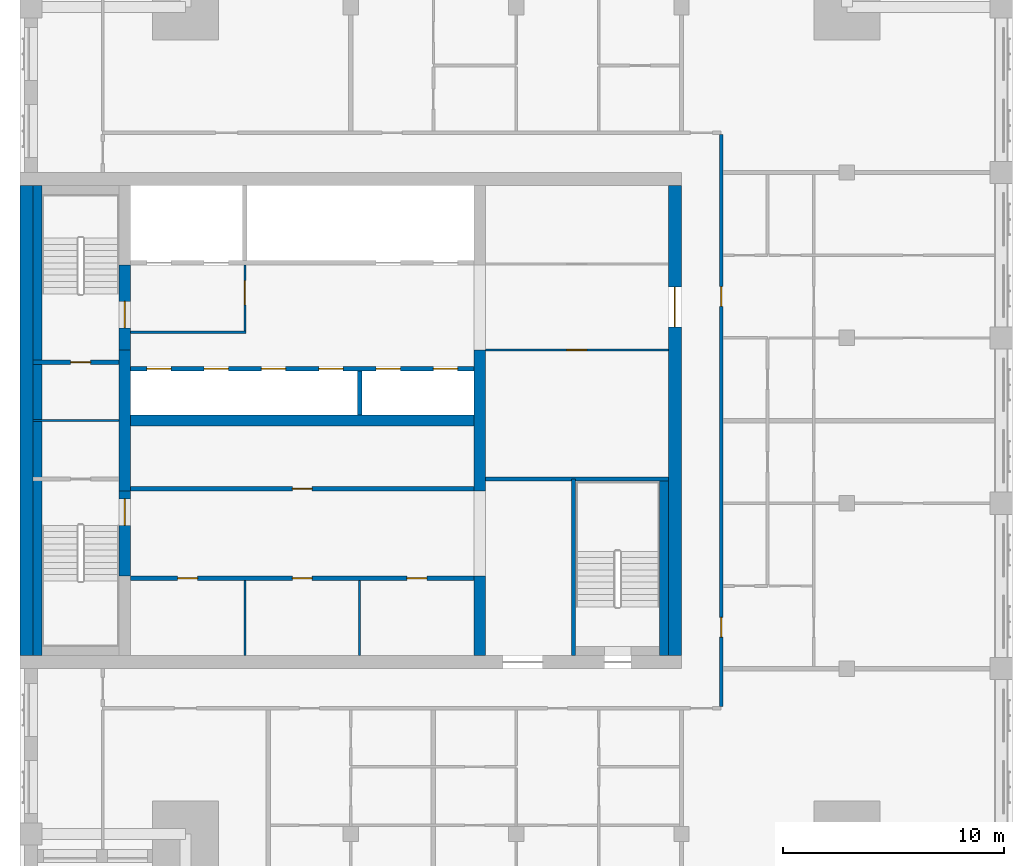
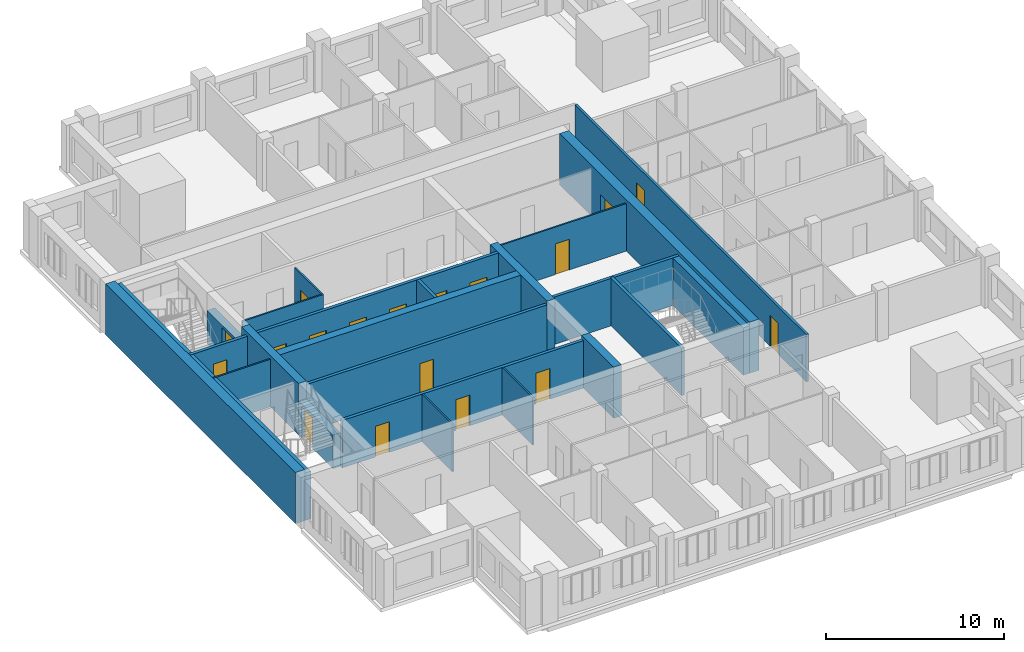
# One storey, part 4 of 10: 24 walls, 18 doors, 18 openings.
"""IFC4 building model written with IfcOpenShell, lengths in metres."""

from ifc_helpers import new_model, si_unit, direction, frame, frame_2d, origin, place, context, subcontext, project, spatial, rectangle, extrude, material, layer, layer_set, type_object, element, fill, save


model = new_model("IFC4")

# Units and contexts
model_context = context("Model", 3, precision=1e-05, world=origin(), true_north=direction((0.0, 1.0)))
body_context = subcontext(model_context, "Body", "Model", "MODEL_VIEW")
ifc_project = project(units=[si_unit("LENGTHUNIT", "METRE"), si_unit("AREAUNIT", "SQUARE_METRE"), si_unit("VOLUMEUNIT", "CUBIC_METRE"), si_unit("PLANEANGLEUNIT", "RADIAN"), si_unit("MASSUNIT", "GRAM", prefix="KILO")], contexts=[model_context])

# Site, building, storey
site_placement = place(None, origin())
site = spatial("IfcSite", under=ifc_project, at=site_placement, CompositionType="ELEMENT")
building_placement = place(site_placement, origin())
building = spatial("IfcBuilding", under=site, at=building_placement, Name="Tamorin Gate", CompositionType="ELEMENT")
storey_placement = place(building_placement, frame((0.0, 0.0, 269.699951171875)))
storey = spatial("IfcBuildingStorey", under=building, at=storey_placement, Name="L67", CompositionType="ELEMENT", Elevation=269.699951171875)

# Wall, openings, doors
ifc_material_1 = material(Name="Gypsum board partition")
ifc_layer_1 = layer(ifc_material_1, 0.14990234375)
ifc_layer_set_1 = layer_set([ifc_layer_1], Name="Corridor wall 150")
wall_type_1 = type_object("IfcWallType", Name="Corridor wall 150", PredefinedType="PARTITIONING", material=ifc_layer_set_1)
wall_1_placement = place(storey_placement, frame((61.800048828125, 58.27490234375, 0.0), z_axis=(0.0, 0.0, 1.0), x_axis=(0.0, 1.0, 0.0)))
wall_1 = element("IfcWall", 1, at=wall_1_placement, inside=storey, type_object=wall_type_1, Name="Corridor wall 150", PredefinedType="PARTITIONING", context=body_context, shape_type="SweptSolid", body=[
    extrude(rectangle(XDim=25.9501953125, YDim=0.14990234375, at=frame_2d((12.97509765625, 0.0))), origin(), (0.0, 0.0, 1.0), 3.25),
])
opening_1_placement = place(wall_1_placement, frame((3.14990234375, 0.0, 0.0)))
opening_1 = element("IfcOpeningElement", 2, at=opening_1_placement, cuts=wall_1, Name="Opening DR9029", PredefinedType="OPENING", context=body_context, shape_type="SweptSolid", body=[
    extrude(rectangle(XDim=0.89990234375, YDim=2.10009765625, at=frame_2d((0.449951171875, 1.050048828125))), frame((0.0, 0.0849609375, 0.0), z_axis=(0.0, -1.0, 0.0), x_axis=(1.0, 0.0, 0.0)), (0.0, 0.0, 1.0), 0.169921875),
])
opening_2_placement = place(wall_1_placement, frame((18.14990234375, 0.0, 0.0)))
opening_2 = element("IfcOpeningElement", 3, at=opening_2_placement, cuts=wall_1, Name="Opening DR9038", PredefinedType="OPENING", context=body_context, shape_type="SweptSolid", body=[
    extrude(rectangle(XDim=0.89990234375, YDim=2.10009765625, at=frame_2d((0.449951171875, 1.050048828125))), frame((0.0, 0.0849609375, 0.0), z_axis=(0.0, -1.0, 0.0), x_axis=(1.0, 0.0, 0.0)), (0.0, 0.0, 1.0), 0.169921875),
])
ifc_material_2 = material(Name="Timber door leaf", Category="wood")
door_type_1 = type_object("IfcDoorType", Name="Door 900 x 2100 FD30S", OperationType="NOTDEFINED", PredefinedType="DOOR", material=ifc_material_2)
door_1_placement = place(opening_1_placement, origin())
door_1 = element("IfcDoor", 4, at=door_1_placement, inside=storey, type_object=door_type_1, Name="Door DR9029", OperationType="SINGLE_SWING_RIGHT", OverallHeight=2.10009765625, OverallWidth=0.89990234375, PredefinedType="DOOR", context=body_context, shape_type="SweptSolid", body=[
    extrude(rectangle(XDim=0.89990234375, YDim=2.10009765625, at=frame_2d((0.449951171875, 1.050048828125))), frame((0.0, 0.02490234375, 0.0), z_axis=(0.0, -1.0, 0.0), x_axis=(1.0, 0.0, 0.0)), (0.0, 0.0, 1.0), 0.050048828125),
])
fill(opening_1, door_1)
door_2_placement = place(opening_2_placement, origin())
door_2 = element("IfcDoor", 5, at=door_2_placement, inside=storey, type_object=door_type_1, Name="Door DR9038", OperationType="SINGLE_SWING_RIGHT", OverallHeight=2.10009765625, OverallWidth=0.89990234375, PredefinedType="DOOR", context=body_context, shape_type="SweptSolid", body=[
    extrude(rectangle(XDim=0.89990234375, YDim=2.10009765625, at=frame_2d((0.449951171875, 1.050048828125))), frame((0.0, 0.02490234375, 0.0), z_axis=(0.0, -1.0, 0.0), x_axis=(1.0, 0.0, 0.0)), (0.0, 0.0, 1.0), 0.050048828125),
])
fill(opening_2, door_2)

ifc_material_3 = material(Name="Concrete C32/40", Category="concrete")
ifc_layer_2 = layer(ifc_material_3, 0.199951171875)
ifc_layer_set_2 = layer_set([ifc_layer_2], Name="Lift lobby face wall 200 EI 120")
wall_type_2 = type_object("IfcWallType", Name="Lift lobby face wall 200 EI 120", PredefinedType="SOLIDWALL", material=ifc_layer_set_2)
wall_2_placement = place(storey_placement, frame((35.0, 73.60009765625, 0.0), z_axis=(0.0, 0.0, 1.0), x_axis=(1.0, 0.0, 0.0)))
wall_2 = element("IfcWall", 6, at=wall_2_placement, inside=storey, type_object=wall_type_2, Name="Lift lobby face wall", PredefinedType="SOLIDWALL", context=body_context, shape_type="SweptSolid", body=[
    extrude(rectangle(XDim=15.60009765625, YDim=0.199951171875, at=frame_2d((7.800048828125, 0.0))), origin(), (0.0, 0.0, 1.0), 3.5),
])
opening_3_placement = place(wall_2_placement, frame((0.75, 0.0, 0.0)))
opening_3 = element("IfcOpeningElement", 7, at=opening_3_placement, cuts=wall_2, Name="Opening LD11", PredefinedType="OPENING", context=body_context, shape_type="SweptSolid", body=[
    extrude(rectangle(XDim=1.10009765625, YDim=2.10009765625, at=frame_2d((0.550048828125, 1.050048828125))), frame((0.0, 0.10986328125, 0.0), z_axis=(0.0, -1.0, 0.0), x_axis=(1.0, 0.0, 0.0)), (0.0, 0.0, 1.0), 0.219970703125),
])
opening_4_placement = place(wall_2_placement, frame((3.35009765625, 0.0, 0.0)))
opening_4 = element("IfcOpeningElement", 8, at=opening_4_placement, cuts=wall_2, Name="Opening LD12", PredefinedType="OPENING", context=body_context, shape_type="SweptSolid", body=[
    extrude(rectangle(XDim=1.10009765625, YDim=2.10009765625, at=frame_2d((0.550048828125, 1.050048828125))), frame((0.0, 0.10986328125, 0.0), z_axis=(0.0, -1.0, 0.0), x_axis=(1.0, 0.0, 0.0)), (0.0, 0.0, 1.0), 0.219970703125),
])
opening_5_placement = place(wall_2_placement, frame((5.949951171875, 0.0, 0.0)))
opening_5 = element("IfcOpeningElement", 9, at=opening_5_placement, cuts=wall_2, Name="Opening LD13", PredefinedType="OPENING", context=body_context, shape_type="SweptSolid", body=[
    extrude(rectangle(XDim=1.10009765625, YDim=2.10009765625, at=frame_2d((0.550048828125, 1.050048828125))), frame((0.0, 0.10986328125, 0.0), z_axis=(0.0, -1.0, 0.0), x_axis=(1.0, 0.0, 0.0)), (0.0, 0.0, 1.0), 0.219970703125),
])
opening_6_placement = place(wall_2_placement, frame((8.550048828125, 0.0, 0.0)))
opening_6 = element("IfcOpeningElement", 10, at=opening_6_placement, cuts=wall_2, Name="Opening LD14", PredefinedType="OPENING", context=body_context, shape_type="SweptSolid", body=[
    extrude(rectangle(XDim=1.10009765625, YDim=2.10009765625, at=frame_2d((0.550048828125, 1.050048828125))), frame((0.0, 0.10986328125, 0.0), z_axis=(0.0, -1.0, 0.0), x_axis=(1.0, 0.0, 0.0)), (0.0, 0.0, 1.0), 0.219970703125),
])
opening_7_placement = place(wall_2_placement, frame((11.14990234375, 0.0, 0.0)))
opening_7 = element("IfcOpeningElement", 11, at=opening_7_placement, cuts=wall_2, Name="Opening LD15", PredefinedType="OPENING", context=body_context, shape_type="SweptSolid", body=[
    extrude(rectangle(XDim=1.10009765625, YDim=2.10009765625, at=frame_2d((0.550048828125, 1.050048828125))), frame((0.0, 0.10986328125, 0.0), z_axis=(0.0, -1.0, 0.0), x_axis=(1.0, 0.0, 0.0)), (0.0, 0.0, 1.0), 0.219970703125),
])
opening_8_placement = place(wall_2_placement, frame((13.75, 0.0, 0.0)))
opening_8 = element("IfcOpeningElement", 12, at=opening_8_placement, cuts=wall_2, Name="Opening LD16", PredefinedType="OPENING", context=body_context, shape_type="SweptSolid", body=[
    extrude(rectangle(XDim=1.10009765625, YDim=2.10009765625, at=frame_2d((0.550048828125, 1.050048828125))), frame((0.0, 0.10986328125, 0.0), z_axis=(0.0, -1.0, 0.0), x_axis=(1.0, 0.0, 0.0)), (0.0, 0.0, 1.0), 0.219970703125),
])
ifc_material_4 = material(Name="Stainless steel sliding door", Category="steel")
door_type_2 = type_object("IfcDoorType", Name="Lift landing door 1100 x 2100 E 90", OperationType="DOUBLE_DOOR_SLIDING", PredefinedType="DOOR", material=ifc_material_4)
door_3_placement = place(opening_3_placement, origin())
door_3 = element("IfcDoor", 13, at=door_3_placement, inside=storey, type_object=door_type_2, Name="HR1 landing door", OperationType="DOUBLE_DOOR_SLIDING", OverallHeight=2.10009765625, OverallWidth=1.10009765625, PredefinedType="DOOR", context=body_context, shape_type="SweptSolid", body=[
    extrude(rectangle(XDim=1.10009765625, YDim=2.10009765625, at=frame_2d((0.550048828125, 1.050048828125))), frame((0.0, 0.02490234375, 0.0), z_axis=(0.0, -1.0, 0.0), x_axis=(1.0, 0.0, 0.0)), (0.0, 0.0, 1.0), 0.050048828125),
])
fill(opening_3, door_3)
door_4_placement = place(opening_4_placement, origin())
door_4 = element("IfcDoor", 14, at=door_4_placement, inside=storey, type_object=door_type_2, Name="HR2 landing door", OperationType="DOUBLE_DOOR_SLIDING", OverallHeight=2.10009765625, OverallWidth=1.10009765625, PredefinedType="DOOR", context=body_context, shape_type="SweptSolid", body=[
    extrude(rectangle(XDim=1.10009765625, YDim=2.10009765625, at=frame_2d((0.550048828125, 1.050048828125))), frame((0.0, 0.02490234375, 0.0), z_axis=(0.0, -1.0, 0.0), x_axis=(1.0, 0.0, 0.0)), (0.0, 0.0, 1.0), 0.050048828125),
])
fill(opening_4, door_4)
door_5_placement = place(opening_5_placement, origin())
door_5 = element("IfcDoor", 15, at=door_5_placement, inside=storey, type_object=door_type_2, Name="HR3 landing door", OperationType="DOUBLE_DOOR_SLIDING", OverallHeight=2.10009765625, OverallWidth=1.10009765625, PredefinedType="DOOR", context=body_context, shape_type="SweptSolid", body=[
    extrude(rectangle(XDim=1.10009765625, YDim=2.10009765625, at=frame_2d((0.550048828125, 1.050048828125))), frame((0.0, 0.02490234375, 0.0), z_axis=(0.0, -1.0, 0.0), x_axis=(1.0, 0.0, 0.0)), (0.0, 0.0, 1.0), 0.050048828125),
])
fill(opening_5, door_5)
door_6_placement = place(opening_6_placement, origin())
door_6 = element("IfcDoor", 16, at=door_6_placement, inside=storey, type_object=door_type_2, Name="HR4 landing door", OperationType="DOUBLE_DOOR_SLIDING", OverallHeight=2.10009765625, OverallWidth=1.10009765625, PredefinedType="DOOR", context=body_context, shape_type="SweptSolid", body=[
    extrude(rectangle(XDim=1.10009765625, YDim=2.10009765625, at=frame_2d((0.550048828125, 1.050048828125))), frame((0.0, 0.02490234375, 0.0), z_axis=(0.0, -1.0, 0.0), x_axis=(1.0, 0.0, 0.0)), (0.0, 0.0, 1.0), 0.050048828125),
])
fill(opening_6, door_6)
door_7_placement = place(opening_7_placement, origin())
door_7 = element("IfcDoor", 17, at=door_7_placement, inside=storey, type_object=door_type_2, Name="HR5 landing door", OperationType="DOUBLE_DOOR_SLIDING", OverallHeight=2.10009765625, OverallWidth=1.10009765625, PredefinedType="DOOR", context=body_context, shape_type="SweptSolid", body=[
    extrude(rectangle(XDim=1.10009765625, YDim=2.10009765625, at=frame_2d((0.550048828125, 1.050048828125))), frame((0.0, 0.02490234375, 0.0), z_axis=(0.0, -1.0, 0.0), x_axis=(1.0, 0.0, 0.0)), (0.0, 0.0, 1.0), 0.050048828125),
])
fill(opening_7, door_7)
door_8_placement = place(opening_8_placement, origin())
door_8 = element("IfcDoor", 18, at=door_8_placement, inside=storey, type_object=door_type_2, Name="HR6 landing door", OperationType="DOUBLE_DOOR_SLIDING", OverallHeight=2.10009765625, OverallWidth=1.10009765625, PredefinedType="DOOR", context=body_context, shape_type="SweptSolid", body=[
    extrude(rectangle(XDim=1.10009765625, YDim=2.10009765625, at=frame_2d((0.550048828125, 1.050048828125))), frame((0.0, 0.02490234375, 0.0), z_axis=(0.0, -1.0, 0.0), x_axis=(1.0, 0.0, 0.0)), (0.0, 0.0, 1.0), 0.050048828125),
])
fill(opening_8, door_8)

# Walls
ifc_layer_3 = layer(ifc_material_3, 0.199951171875)
ifc_layer_set_3 = layer_set([ifc_layer_3], Name="Lift shaft wall 200 EI 120")
wall_type_3 = type_object("IfcWallType", Name="Lift shaft wall 200 EI 120", PredefinedType="SOLIDWALL", material=ifc_layer_set_3)
wall_3_placement = place(storey_placement, frame((45.39990234375, 71.5, 0.0), z_axis=(0.0, 0.0, 1.0), x_axis=(0.0, 1.0, 0.0)))
element("IfcWall", 19, at=wall_3_placement, inside=storey, type_object=wall_type_3, Name="Lift shaft wall", PredefinedType="SOLIDWALL", context=body_context, shape_type="SweptSolid", body=[
    extrude(rectangle(XDim=2.0, YDim=0.199951171875, at=frame_2d((1.0, 0.0))), origin(), (0.0, 0.0, 1.0), 3.5),
])
ifc_material_5 = material(Name="Fire-rated gypsum board partition")
ifc_layer_4 = layer(ifc_material_5, 0.10009765625)
ifc_layer_set_4 = layer_set([ifc_layer_4], Name="Lobby wall 100 EI 60")
wall_type_4 = type_object("IfcWallType", Name="Lobby wall 100 EI 60", PredefinedType="PARTITIONING", material=ifc_layer_set_4)
wall_4_placement = place(storey_placement, frame((35.0, 75.25, 0.0), z_axis=(0.0, 0.0, 1.0), x_axis=(1.0, 0.0, 0.0)))
element("IfcWall", 20, at=wall_4_placement, inside=storey, type_object=wall_type_4, Name="Firefighting lobby wall", PredefinedType="PARTITIONING", context=body_context, shape_type="SweptSolid", body=[
    extrude(rectangle(XDim=5.25, YDim=0.10009765625, at=frame_2d((2.625, 0.0))), origin(), (0.0, 0.0, 1.0), 3.25),
])

# Wall, opening, door
wall_5_placement = place(storey_placement, frame((40.199951171875, 75.300048828125, 0.0), z_axis=(0.0, 0.0, 1.0), x_axis=(0.0, 1.0, 0.0)))
wall_5 = element("IfcWall", 21, at=wall_5_placement, inside=storey, type_object=wall_type_4, Name="Firefighting lobby wall", PredefinedType="PARTITIONING", context=body_context, shape_type="SweptSolid", body=[
    extrude(rectangle(XDim=3.0, YDim=0.10009765625, at=frame_2d((1.5, 0.0))), origin(), (0.0, 0.0, 1.0), 3.25),
])
opening_9_placement = place(wall_5_placement, frame((1.199951171875, 0.0, 0.0)))
opening_9 = element("IfcOpeningElement", 22, at=opening_9_placement, cuts=wall_5, Name="Opening DF1", PredefinedType="OPENING", context=body_context, shape_type="SweptSolid", body=[
    extrude(rectangle(XDim=1.10009765625, YDim=2.10009765625, at=frame_2d((0.550048828125, 1.050048828125))), frame((0.0, 0.06005859375, 0.0), z_axis=(0.0, -1.0, 0.0), x_axis=(1.0, 0.0, 0.0)), (0.0, 0.0, 1.0), 0.1201171875),
])
ifc_material_6 = material(Name="Steel fire door", Category="steel")
door_type_3 = type_object("IfcDoorType", Name="Firefighting lobby door 1100 x 2100 EI 90", OperationType="SINGLE_SWING_LEFT", PredefinedType="DOOR", material=ifc_material_6)
door_9_placement = place(opening_9_placement, origin())
door_9 = element("IfcDoor", 23, at=door_9_placement, inside=storey, type_object=door_type_3, Name="Firefighting lobby door", OperationType="SINGLE_SWING_LEFT", OverallHeight=2.10009765625, OverallWidth=1.10009765625, PredefinedType="DOOR", context=body_context, shape_type="SweptSolid", body=[
    extrude(rectangle(XDim=1.10009765625, YDim=2.10009765625, at=frame_2d((0.550048828125, 1.050048828125))), frame((0.0, 0.02490234375, 0.0), z_axis=(0.0, -1.0, 0.0), x_axis=(1.0, 0.0, 0.0)), (0.0, 0.0, 1.0), 0.050048828125),
])
fill(opening_9, door_9)

# Walls
ifc_material_7 = material(Name="Concrete C50/60", Category="concrete")
ifc_layer_5 = layer(ifc_material_7, 0.5)
ifc_layer_set_5 = layer_set([ifc_layer_5], Name="RC core internal wall 500 C50/60")
wall_type_5 = type_object("IfcWallType", Name="RC core internal wall 500 C50/60", PredefinedType="SHEAR", material=ifc_layer_set_5)
wall_6_placement = place(storey_placement, frame((35.0, 71.25, 0.0), z_axis=(0.0, 0.0, 1.0), x_axis=(1.0, 0.0, 0.0)))
element("IfcWall", 24, at=wall_6_placement, inside=storey, type_object=wall_type_5, Name="Core spine wall L67", PredefinedType="SHEAR", context=body_context, shape_type="SweptSolid", body=[
    extrude(rectangle(XDim=15.60009765625, YDim=0.5, at=frame_2d((7.800048828125, 0.0))), origin(), (0.0, 0.0, 1.0), 3.5),
])
wall_7_placement = place(storey_placement, frame((34.75, 68.050048828125, 0.0), z_axis=(0.0, 0.0, 1.0), x_axis=(0.0, 1.0, 0.0)))
element("IfcWall", 25, at=wall_7_placement, inside=storey, type_object=wall_type_5, Name="Core cross wall L67", PredefinedType="SHEAR", context=body_context, shape_type="SweptSolid", body=[
    extrude(rectangle(XDim=6.39990234375, YDim=0.5, at=frame_2d((3.199951171875, 0.0))), origin(), (0.0, 0.0, 1.0), 3.5),
])
wall_8_placement = place(storey_placement, frame((50.85009765625, 60.60009765625, 0.0), z_axis=(0.0, 0.0, 1.0), x_axis=(0.0, 1.0, 0.0)))
element("IfcWall", 26, at=wall_8_placement, inside=storey, type_object=wall_type_5, Name="Core cross wall L67", PredefinedType="SHEAR", context=body_context, shape_type="SweptSolid", body=[
    extrude(rectangle(XDim=3.599853515625, YDim=0.5, at=frame_2d((1.7998046875, 0.0))), origin(), (0.0, 0.0, 1.0), 3.5),
])
wall_9_placement = place(storey_placement, frame((50.85009765625, 68.050048828125, 0.0), z_axis=(0.0, 0.0, 1.0), x_axis=(0.0, 1.0, 0.0)))
element("IfcWall", 27, at=wall_9_placement, inside=storey, type_object=wall_type_5, Name="Core cross wall L67", PredefinedType="SHEAR", context=body_context, shape_type="SweptSolid", body=[
    extrude(rectangle(XDim=6.39990234375, YDim=0.5, at=frame_2d((3.199951171875, 0.0))), origin(), (0.0, 0.0, 1.0), 3.5),
])
ifc_layer_6 = layer(ifc_material_7, 0.60009765625)
ifc_layer_set_6 = layer_set([ifc_layer_6], Name="RC core wall 600 C50/60")
wall_type_6 = type_object("IfcWallType", Name="RC core wall 600 C50/60", PredefinedType="SHEAR", material=ifc_layer_set_6)
wall_10_placement = place(storey_placement, frame((30.300048828125, 60.60009765625, 0.0), z_axis=(0.0, 0.0, 1.0), x_axis=(0.0, 1.0, 0.0)))
element("IfcWall", 28, at=wall_10_placement, inside=storey, type_object=wall_type_6, Name="Core wall L67", PredefinedType="SHEAR", context=body_context, shape_type="SweptSolid", body=[
    extrude(rectangle(XDim=21.2998046875, YDim=0.60009765625, at=frame_2d((10.64990234375, 0.0))), origin(), (0.0, 0.0, 1.0), 3.5),
])

# Wall, opening, door
wall_11_placement = place(storey_placement, frame((59.699951171875, 60.60009765625, 0.0), z_axis=(0.0, 0.0, 1.0), x_axis=(0.0, 1.0, 0.0)))
wall_11 = element("IfcWall", 29, at=wall_11_placement, inside=storey, type_object=wall_type_6, Name="Core wall L67", PredefinedType="SHEAR", context=body_context, shape_type="SweptSolid", body=[
    extrude(rectangle(XDim=21.2998046875, YDim=0.60009765625, at=frame_2d((10.64990234375, 0.0))), origin(), (0.0, 0.0, 1.0), 3.5),
])
opening_10_placement = place(wall_11_placement, frame((14.89990234375, 0.0, 0.0)))
opening_10 = element("IfcOpeningElement", 30, at=opening_10_placement, cuts=wall_11, Name="Opening DE1", PredefinedType="OPENING", context=body_context, shape_type="SweptSolid", body=[
    extrude(rectangle(XDim=1.800048828125, YDim=2.10009765625, at=frame_2d((0.89990234375, 1.050048828125))), frame((0.0, 0.31005859375, 0.0), z_axis=(0.0, -1.0, 0.0), x_axis=(1.0, 0.0, 0.0)), (0.0, 0.0, 1.0), 0.6201171875),
])
door_type_4 = type_object("IfcDoorType", Name="Lobby exit double door 1800 x 2100 EI 60", OperationType="DOUBLE_DOOR_SINGLE_SWING", PredefinedType="DOOR", material=ifc_material_6)
door_10_placement = place(opening_10_placement, origin())
door_10 = element("IfcDoor", 31, at=door_10_placement, inside=storey, type_object=door_type_4, Name="Lift lobby B exit door", OperationType="DOUBLE_DOOR_SINGLE_SWING", OverallHeight=2.10009765625, OverallWidth=1.800048828125, PredefinedType="DOOR", context=body_context, shape_type="SweptSolid", body=[
    extrude(rectangle(XDim=1.800048828125, YDim=2.10009765625, at=frame_2d((0.89990234375, 1.050048828125))), frame((0.0, 0.02490234375, 0.0), z_axis=(0.0, -1.0, 0.0), x_axis=(1.0, 0.0, 0.0)), (0.0, 0.0, 1.0), 0.050048828125),
])
fill(opening_10, door_10)

# Wall
ifc_layer_7 = layer(ifc_material_5, 0.10009765625)
ifc_layer_set_7 = layer_set([ifc_layer_7], Name="Riser partition 100 EI 120")
wall_type_7 = type_object("IfcWallType", Name="Riser partition 100 EI 120", PredefinedType="PARTITIONING", material=ifc_layer_set_7)
wall_12_placement = place(storey_placement, frame((30.60009765625, 71.25, 0.0), z_axis=(0.0, 0.0, 1.0), x_axis=(1.0, 0.0, 0.0)))
element("IfcWall", 32, at=wall_12_placement, inside=storey, type_object=wall_type_7, Name="Riser partition", PredefinedType="PARTITIONING", context=body_context, shape_type="SweptSolid", body=[
    extrude(rectangle(XDim=3.89990234375, YDim=0.10009765625, at=frame_2d((1.949951171875, 0.0))), origin(), (0.0, 0.0, 1.0), 3.25),
])

# Wall, openings, doors
ifc_layer_8 = layer(ifc_material_1, 0.199951171875)
ifc_layer_set_8 = layer_set([ifc_layer_8], Name="Service room face wall 200 EI 60")
wall_type_8 = type_object("IfcWallType", Name="Service room face wall 200 EI 60", PredefinedType="PARTITIONING", material=ifc_layer_set_8)
wall_13_placement = place(storey_placement, frame((35.0, 64.10009765625, 0.0), z_axis=(0.0, 0.0, 1.0), x_axis=(1.0, 0.0, 0.0)))
wall_13 = element("IfcWall", 33, at=wall_13_placement, inside=storey, type_object=wall_type_8, Name="Service room face wall", PredefinedType="PARTITIONING", context=body_context, shape_type="SweptSolid", body=[
    extrude(rectangle(XDim=15.60009765625, YDim=0.199951171875, at=frame_2d((7.800048828125, 0.0))), origin(), (0.0, 0.0, 1.0), 3.25),
])
opening_11_placement = place(wall_13_placement, frame((2.14990234375, 0.0, 0.0)))
opening_11 = element("IfcOpeningElement", 34, at=opening_11_placement, cuts=wall_13, Name="Opening DK1", PredefinedType="OPENING", context=body_context, shape_type="SweptSolid", body=[
    extrude(rectangle(XDim=0.89990234375, YDim=2.10009765625, at=frame_2d((0.449951171875, 1.050048828125))), frame((0.0, 0.10986328125, 0.0), z_axis=(0.0, -1.0, 0.0), x_axis=(1.0, 0.0, 0.0)), (0.0, 0.0, 1.0), 0.219970703125),
])
opening_12_placement = place(wall_13_placement, frame((7.35009765625, 0.0, 0.0)))
opening_12 = element("IfcOpeningElement", 35, at=opening_12_placement, cuts=wall_13, Name="Opening DK1", PredefinedType="OPENING", context=body_context, shape_type="SweptSolid", body=[
    extrude(rectangle(XDim=0.89990234375, YDim=2.10009765625, at=frame_2d((0.449951171875, 1.050048828125))), frame((0.0, 0.10986328125, 0.0), z_axis=(0.0, -1.0, 0.0), x_axis=(1.0, 0.0, 0.0)), (0.0, 0.0, 1.0), 0.219970703125),
])
opening_13_placement = place(wall_13_placement, frame((12.550048828125, 0.0, 0.0)))
opening_13 = element("IfcOpeningElement", 36, at=opening_13_placement, cuts=wall_13, Name="Opening DK1", PredefinedType="OPENING", context=body_context, shape_type="SweptSolid", body=[
    extrude(rectangle(XDim=0.89990234375, YDim=2.10009765625, at=frame_2d((0.449951171875, 1.050048828125))), frame((0.0, 0.10986328125, 0.0), z_axis=(0.0, -1.0, 0.0), x_axis=(1.0, 0.0, 0.0)), (0.0, 0.0, 1.0), 0.219970703125),
])
ifc_material_8 = material(Name="Timber fire door", Category="wood")
door_type_5 = type_object("IfcDoorType", Name="Service room door 900 x 2100 EI 60", OperationType="SINGLE_SWING_LEFT", PredefinedType="DOOR", material=ifc_material_8)
door_11_placement = place(opening_11_placement, origin())
door_11 = element("IfcDoor", 37, at=door_11_placement, inside=storey, type_object=door_type_5, Name="Door Linen store", OperationType="SINGLE_SWING_LEFT", OverallHeight=2.10009765625, OverallWidth=0.89990234375, PredefinedType="DOOR", context=body_context, shape_type="SweptSolid", body=[
    extrude(rectangle(XDim=0.89990234375, YDim=2.10009765625, at=frame_2d((0.449951171875, 1.050048828125))), frame((0.0, 0.02490234375, 0.0), z_axis=(0.0, -1.0, 0.0), x_axis=(1.0, 0.0, 0.0)), (0.0, 0.0, 1.0), 0.050048828125),
])
fill(opening_11, door_11)
door_12_placement = place(opening_12_placement, origin())
door_12 = element("IfcDoor", 38, at=door_12_placement, inside=storey, type_object=door_type_5, Name="Door Club store", OperationType="SINGLE_SWING_RIGHT", OverallHeight=2.10009765625, OverallWidth=0.89990234375, PredefinedType="DOOR", context=body_context, shape_type="SweptSolid", body=[
    extrude(rectangle(XDim=0.89990234375, YDim=2.10009765625, at=frame_2d((0.449951171875, 1.050048828125))), frame((0.0, 0.02490234375, 0.0), z_axis=(0.0, -1.0, 0.0), x_axis=(1.0, 0.0, 0.0)), (0.0, 0.0, 1.0), 0.050048828125),
])
fill(opening_12, door_12)
door_13_placement = place(opening_13_placement, origin())
door_13 = element("IfcDoor", 39, at=door_13_placement, inside=storey, type_object=door_type_5, Name="Door Wine store", OperationType="SINGLE_SWING_LEFT", OverallHeight=2.10009765625, OverallWidth=0.89990234375, PredefinedType="DOOR", context=body_context, shape_type="SweptSolid", body=[
    extrude(rectangle(XDim=0.89990234375, YDim=2.10009765625, at=frame_2d((0.449951171875, 1.050048828125))), frame((0.0, 0.02490234375, 0.0), z_axis=(0.0, -1.0, 0.0), x_axis=(1.0, 0.0, 0.0)), (0.0, 0.0, 1.0), 0.050048828125),
])
fill(opening_13, door_13)

# Wall, opening, door
wall_14_placement = place(storey_placement, frame((35.0, 68.14990234375, 0.0), z_axis=(0.0, 0.0, 1.0), x_axis=(1.0, 0.0, 0.0)))
wall_14 = element("IfcWall", 40, at=wall_14_placement, inside=storey, type_object=wall_type_8, Name="Service room face wall", PredefinedType="PARTITIONING", context=body_context, shape_type="SweptSolid", body=[
    extrude(rectangle(XDim=15.60009765625, YDim=0.199951171875, at=frame_2d((7.800048828125, 0.0))), origin(), (0.0, 0.0, 1.0), 3.25),
])
opening_14_placement = place(wall_14_placement, frame((7.35009765625, 0.0, 0.0)))
opening_14 = element("IfcOpeningElement", 41, at=opening_14_placement, cuts=wall_14, Name="Opening DK1", PredefinedType="OPENING", context=body_context, shape_type="SweptSolid", body=[
    extrude(rectangle(XDim=0.89990234375, YDim=2.10009765625, at=frame_2d((0.449951171875, 1.050048828125))), frame((0.0, 0.10986328125, 0.0), z_axis=(0.0, -1.0, 0.0), x_axis=(1.0, 0.0, 0.0)), (0.0, 0.0, 1.0), 0.219970703125),
])
door_14_placement = place(opening_14_placement, origin())
door_14 = element("IfcDoor", 42, at=door_14_placement, inside=storey, type_object=door_type_5, Name="Door Housekeeping and maintenance store", OperationType="SINGLE_SWING_LEFT", OverallHeight=2.10009765625, OverallWidth=0.89990234375, PredefinedType="DOOR", context=body_context, shape_type="SweptSolid", body=[
    extrude(rectangle(XDim=0.89990234375, YDim=2.10009765625, at=frame_2d((0.449951171875, 1.050048828125))), frame((0.0, 0.02490234375, 0.0), z_axis=(0.0, -1.0, 0.0), x_axis=(1.0, 0.0, 0.0)), (0.0, 0.0, 1.0), 0.050048828125),
])
fill(opening_14, door_14)

# Walls
ifc_layer_9 = layer(ifc_material_1, 0.10009765625)
ifc_layer_set_9 = layer_set([ifc_layer_9], Name="Service room partition 100 EI 60")
wall_type_9 = type_object("IfcWallType", Name="Service room partition 100 EI 60", PredefinedType="PARTITIONING", material=ifc_layer_set_9)
for number, where, z_axis, x_axis, name in (
    (43, (40.199951171875, 60.60009765625, 0.0), (0.0, 0.0, 1.0), (0.0, 1.0, 0.0), "Service room partition"),
    (44, (45.39990234375, 60.60009765625, 0.0), (0.0, 0.0, 1.0), (0.0, 1.0, 0.0), "Service room partition"),
):
    element("IfcWall", number, at=place(storey_placement, frame(where, z_axis=z_axis, x_axis=x_axis)), inside=storey, type_object=wall_type_9, Name=name, PredefinedType="PARTITIONING", context=body_context, shape_type="SweptSolid", body=[
        extrude(rectangle(XDim=3.39990234375, YDim=0.10009765625, at=frame_2d((1.699951171875, 0.0))), origin(), (0.0, 0.0, 1.0), 3.25),
    ])

# Wall, opening, door
wall_15_placement = place(storey_placement, frame((51.10009765625, 74.449951171875, 0.0), z_axis=(0.0, 0.0, 1.0), x_axis=(1.0, 0.0, 0.0)))
wall_15 = element("IfcWall", 45, at=wall_15_placement, inside=storey, type_object=wall_type_9, Name="Service room wall", PredefinedType="PARTITIONING", context=body_context, shape_type="SweptSolid", body=[
    extrude(rectangle(XDim=8.2998046875, YDim=0.10009765625, at=frame_2d((4.14990234375, 0.0))), origin(), (0.0, 0.0, 1.0), 3.25),
])
opening_15_placement = place(wall_15_placement, frame((3.699951171875, 0.0, 0.0)))
opening_15 = element("IfcOpeningElement", 46, at=opening_15_placement, cuts=wall_15, Name="Opening DR1", PredefinedType="OPENING", context=body_context, shape_type="SweptSolid", body=[
    extrude(rectangle(XDim=0.89990234375, YDim=2.10009765625, at=frame_2d((0.449951171875, 1.050048828125))), frame((0.0, 0.06005859375, 0.0), z_axis=(0.0, -1.0, 0.0), x_axis=(1.0, 0.0, 0.0)), (0.0, 0.0, 1.0), 0.1201171875),
])
door_type_6 = type_object("IfcDoorType", Name="Riser access door 900 x 2100 EI 120", OperationType="SINGLE_SWING_LEFT", PredefinedType="DOOR", material=ifc_material_6)
door_15_placement = place(opening_15_placement, origin())
door_15 = element("IfcDoor", 47, at=door_15_placement, inside=storey, type_object=door_type_6, Name="Duct riser door", OperationType="SINGLE_SWING_LEFT", OverallHeight=2.10009765625, OverallWidth=0.89990234375, PredefinedType="DOOR", context=body_context, shape_type="SweptSolid", body=[
    extrude(rectangle(XDim=0.89990234375, YDim=2.10009765625, at=frame_2d((0.449951171875, 1.050048828125))), frame((0.0, 0.02490234375, 0.0), z_axis=(0.0, -1.0, 0.0), x_axis=(1.0, 0.0, 0.0)), (0.0, 0.0, 1.0), 0.050048828125),
])
fill(opening_15, door_15)

ifc_material_9 = material(Name="Concrete C40/50", Category="concrete")
ifc_layer_10 = layer(ifc_material_9, 0.199951171875)
ifc_layer_set_10 = layer_set([ifc_layer_10], Name="Stair enclosure wall 200 EI 120 C40/50")
wall_type_10 = type_object("IfcWallType", Name="Stair enclosure wall 200 EI 120 C40/50", PredefinedType="SOLIDWALL", material=ifc_layer_set_10)
wall_16_placement = place(storey_placement, frame((30.60009765625, 73.89990234375, 0.0), z_axis=(0.0, 0.0, 1.0), x_axis=(1.0, 0.0, 0.0)))
wall_16 = element("IfcWall", 48, at=wall_16_placement, inside=storey, type_object=wall_type_10, Name="Stair enclosure wall", PredefinedType="SOLIDWALL", context=body_context, shape_type="SweptSolid", body=[
    extrude(rectangle(XDim=3.89990234375, YDim=0.199951171875, at=frame_2d((1.949951171875, 0.0))), origin(), (0.0, 0.0, 1.0), 3.25),
])
opening_16_placement = place(wall_16_placement, frame((1.699951171875, 0.0, 0.0)))
opening_16 = element("IfcOpeningElement", 49, at=opening_16_placement, cuts=wall_16, Name="Opening DR1", PredefinedType="OPENING", context=body_context, shape_type="SweptSolid", body=[
    extrude(rectangle(XDim=0.89990234375, YDim=2.10009765625, at=frame_2d((0.449951171875, 1.050048828125))), frame((0.0, 0.10986328125, 0.0), z_axis=(0.0, -1.0, 0.0), x_axis=(1.0, 0.0, 0.0)), (0.0, 0.0, 1.0), 0.219970703125),
])
door_16_placement = place(opening_16_placement, origin())
door_16 = element("IfcDoor", 50, at=door_16_placement, inside=storey, type_object=door_type_6, Name="Communications riser door", OperationType="SINGLE_SWING_RIGHT", OverallHeight=2.10009765625, OverallWidth=0.89990234375, PredefinedType="DOOR", context=body_context, shape_type="SweptSolid", body=[
    extrude(rectangle(XDim=0.89990234375, YDim=2.10009765625, at=frame_2d((0.449951171875, 1.050048828125))), frame((0.0, 0.02490234375, 0.0), z_axis=(0.0, -1.0, 0.0), x_axis=(1.0, 0.0, 0.0)), (0.0, 0.0, 1.0), 0.050048828125),
])
fill(opening_16, door_16)

# Walls
wall_17_placement = place(storey_placement, frame((55.10009765625, 60.60009765625, 0.0), z_axis=(0.0, 0.0, 1.0), x_axis=(0.0, 1.0, 0.0)))
element("IfcWall", 51, at=wall_17_placement, inside=storey, type_object=wall_type_10, Name="Stair enclosure wall", PredefinedType="SOLIDWALL", context=body_context, shape_type="SweptSolid", body=[
    extrude(rectangle(XDim=8.0, YDim=0.199951171875, at=frame_2d((4.0, 0.0))), origin(), (0.0, 0.0, 1.0), 3.25),
])
wall_18_placement = place(storey_placement, frame((51.10009765625, 68.60009765625, 0.0), z_axis=(0.0, 0.0, 1.0), x_axis=(1.0, 0.0, 0.0)))
element("IfcWall", 52, at=wall_18_placement, inside=storey, type_object=wall_type_10, Name="Stair enclosure wall", PredefinedType="SOLIDWALL", context=body_context, shape_type="SweptSolid", body=[
    extrude(rectangle(XDim=8.2998046875, YDim=0.199951171875, at=frame_2d((4.14990234375, 0.0))), origin(), (0.0, 0.0, 1.0), 3.25),
])
ifc_layer_11 = layer(ifc_material_7, 0.39990234375)
ifc_layer_set_11 = layer_set([ifc_layer_11], Name="Stair lining wall 400 EI 120 C50/60")
wall_type_11 = type_object("IfcWallType", Name="Stair lining wall 400 EI 120 C50/60", PredefinedType="SOLIDWALL", material=ifc_layer_set_11)
wall_19_placement = place(storey_placement, frame((30.800048828125, 60.60009765625, 0.0), z_axis=(0.0, 0.0, 1.0), x_axis=(0.0, 1.0, 0.0)))
element("IfcWall", 53, at=wall_19_placement, inside=storey, type_object=wall_type_11, Name="Stair lining wall", PredefinedType="SOLIDWALL", context=body_context, shape_type="SweptSolid", body=[
    extrude(rectangle(XDim=21.2998046875, YDim=0.39990234375, at=frame_2d((10.64990234375, 0.0))), origin(), (0.0, 0.0, 1.0), 3.25),
])
wall_20_placement = place(storey_placement, frame((59.199951171875, 60.60009765625, 0.0), z_axis=(0.0, 0.0, 1.0), x_axis=(0.0, 1.0, 0.0)))
element("IfcWall", 54, at=wall_20_placement, inside=storey, type_object=wall_type_11, Name="Stair lining wall", PredefinedType="SOLIDWALL", context=body_context, shape_type="SweptSolid", body=[
    extrude(rectangle(XDim=7.89990234375, YDim=0.39990234375, at=frame_2d((3.949951171875, 0.0))), origin(), (0.0, 0.0, 1.0), 3.25),
])

# Wall, opening, door
ifc_layer_12 = layer(ifc_material_3, 0.5)
ifc_layer_set_12 = layer_set([ifc_layer_12], Name="Stair lobby infill wall 500 EI 120")
wall_type_12 = type_object("IfcWallType", Name="Stair lobby infill wall 500 EI 120", PredefinedType="SOLIDWALL", material=ifc_layer_set_12)
wall_21_placement = place(storey_placement, frame((34.75, 64.199951171875, 0.0), z_axis=(0.0, 0.0, 1.0), x_axis=(0.0, 1.0, 0.0)))
wall_21 = element("IfcWall", 55, at=wall_21_placement, inside=storey, type_object=wall_type_12, Name="Stair lobby infill wall", PredefinedType="SOLIDWALL", context=body_context, shape_type="SweptSolid", body=[
    extrude(rectangle(XDim=3.85009765625, YDim=0.5, at=frame_2d((1.925048828125, 0.0))), origin(), (0.0, 0.0, 1.0), 2.300048828125),
])
opening_17_placement = place(wall_21_placement, frame((2.300048828125, 0.0, 0.0)))
opening_17 = element("IfcOpeningElement", 56, at=opening_17_placement, cuts=wall_21, Name="Opening DS1", PredefinedType="OPENING", context=body_context, shape_type="SweptSolid", body=[
    extrude(rectangle(XDim=1.199951171875, YDim=2.10009765625, at=frame_2d((0.60009765625, 1.050048828125))), frame((0.0, 0.260009765625, 0.0), z_axis=(0.0, -1.0, 0.0), x_axis=(1.0, 0.0, 0.0)), (0.0, 0.0, 1.0), 0.52001953125),
])
door_type_7 = type_object("IfcDoorType", Name="Stair door 1200 x 2100 EI 90", OperationType="SINGLE_SWING_LEFT", PredefinedType="DOOR", material=ifc_material_6)
door_17_placement = place(opening_17_placement, origin())
door_17 = element("IfcDoor", 57, at=door_17_placement, inside=storey, type_object=door_type_7, Name="ST1 door", OperationType="SINGLE_SWING_LEFT", OverallHeight=2.10009765625, OverallWidth=1.199951171875, PredefinedType="DOOR", context=body_context, shape_type="SweptSolid", body=[
    extrude(rectangle(XDim=1.199951171875, YDim=2.10009765625, at=frame_2d((0.60009765625, 1.050048828125))), frame((0.0, 0.02490234375, 0.0), z_axis=(0.0, -1.0, 0.0), x_axis=(1.0, 0.0, 0.0)), (0.0, 0.0, 1.0), 0.050048828125),
])
fill(opening_17, door_17)

wall_22_placement = place(storey_placement, frame((34.75, 74.449951171875, 0.0), z_axis=(0.0, 0.0, 1.0), x_axis=(0.0, 1.0, 0.0)))
wall_22 = element("IfcWall", 58, at=wall_22_placement, inside=storey, type_object=wall_type_12, Name="Stair lobby infill wall", PredefinedType="SOLIDWALL", context=body_context, shape_type="SweptSolid", body=[
    extrude(rectangle(XDim=3.85009765625, YDim=0.5, at=frame_2d((1.925048828125, 0.0))), origin(), (0.0, 0.0, 1.0), 2.300048828125),
])
opening_18_placement = place(wall_22_placement, frame((1.0, 0.0, 0.0)))
opening_18 = element("IfcOpeningElement", 59, at=opening_18_placement, cuts=wall_22, Name="Opening DS1", PredefinedType="OPENING", context=body_context, shape_type="SweptSolid", body=[
    extrude(rectangle(XDim=1.199951171875, YDim=2.10009765625, at=frame_2d((0.60009765625, 1.050048828125))), frame((0.0, 0.260009765625, 0.0), z_axis=(0.0, -1.0, 0.0), x_axis=(1.0, 0.0, 0.0)), (0.0, 0.0, 1.0), 0.52001953125),
])
door_18_placement = place(opening_18_placement, origin())
door_18 = element("IfcDoor", 60, at=door_18_placement, inside=storey, type_object=door_type_7, Name="ST2 door", OperationType="SINGLE_SWING_RIGHT", OverallHeight=2.10009765625, OverallWidth=1.199951171875, PredefinedType="DOOR", context=body_context, shape_type="SweptSolid", body=[
    extrude(rectangle(XDim=1.199951171875, YDim=2.10009765625, at=frame_2d((0.60009765625, 1.050048828125))), frame((0.0, 0.02490234375, 0.0), z_axis=(0.0, -1.0, 0.0), x_axis=(1.0, 0.0, 0.0)), (0.0, 0.0, 1.0), 0.050048828125),
])
fill(opening_18, door_18)

save(model, "model.ifc")
